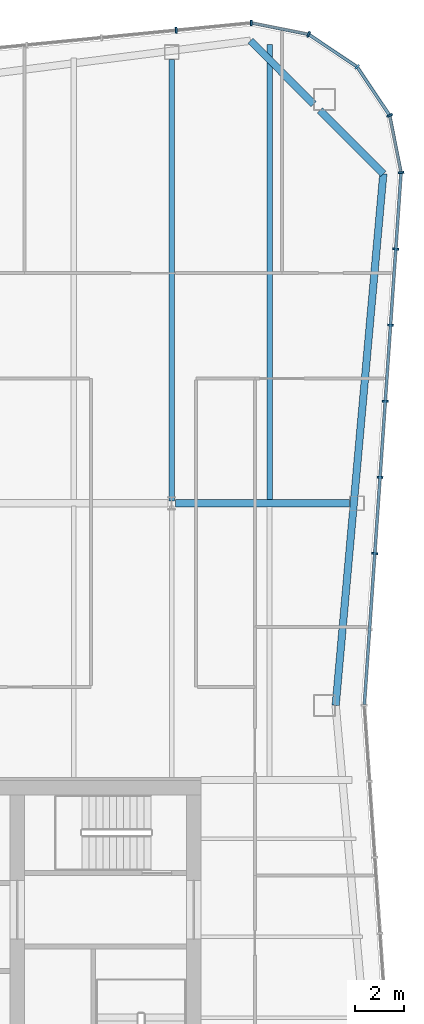
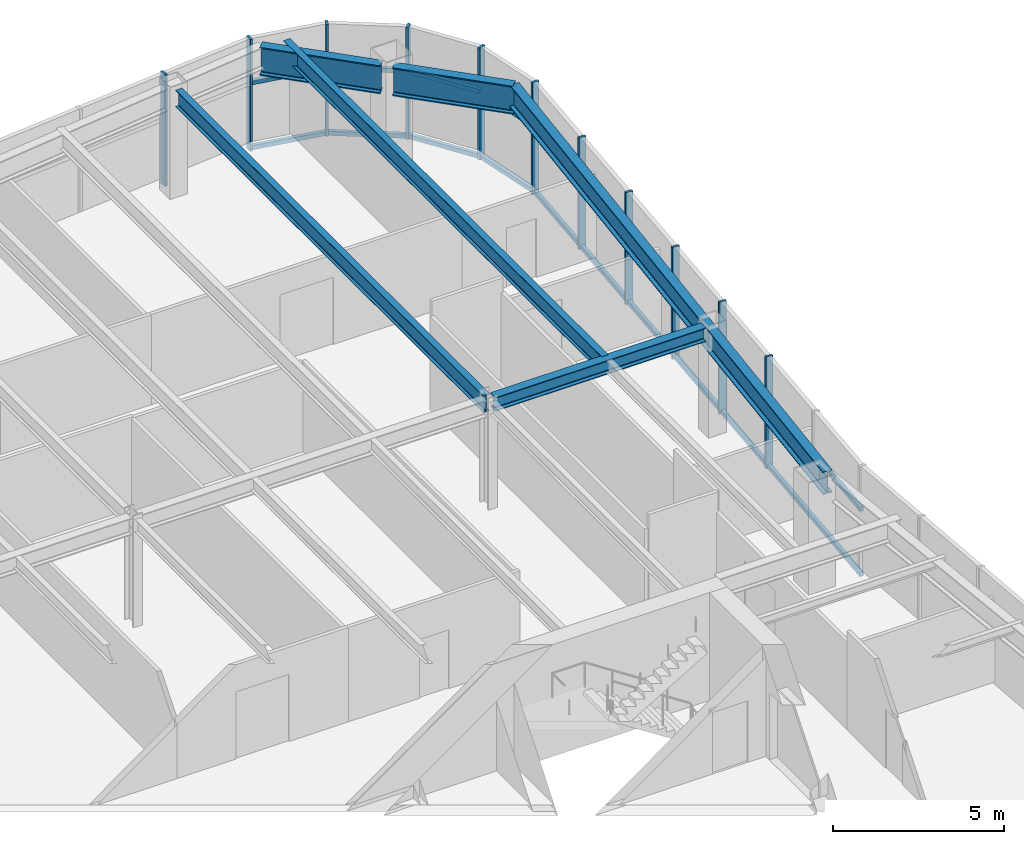
# One storey, part 7 of 13: 21 members, 6 beams, 3 elements without a shape of their own.
"""IFC4 building model written with IfcOpenShell, lengths in metres."""

from ifc_helpers import new_model, si_unit, direction, frame, origin, origin_2d, place, context, subcontext, project, spatial, rectangle, i_section, extrude, material, material_profile, profile_set, type_object, element, aggregate, save


model = new_model("IFC4")

# Units and contexts
model_context = context("Model", 3, precision=1e-05, world=origin(), true_north=direction((0.0, 1.0)))
body_context = subcontext(model_context, "Body", "Model", "MODEL_VIEW")
ifc_project = project(units=[si_unit("LENGTHUNIT", "METRE"), si_unit("AREAUNIT", "SQUARE_METRE"), si_unit("VOLUMEUNIT", "CUBIC_METRE"), si_unit("PLANEANGLEUNIT", "RADIAN"), si_unit("MASSUNIT", "GRAM", prefix="KILO")], contexts=[model_context])

# Site, building, storey
site_placement = place(None, origin())
site = spatial("IfcSite", under=ifc_project, at=site_placement, CompositionType="ELEMENT")
building_placement = place(site_placement, origin())
building = spatial("IfcBuilding", under=site, at=building_placement, Name="Verdant Reach Tower", CompositionType="ELEMENT")
storey_placement = place(building_placement, frame((0.0, 0.0, 364.0)))
storey = spatial("IfcBuildingStorey", under=building, at=storey_placement, Name="L82 Plant", CompositionType="ELEMENT", Elevation=364.0)

# Curtain wall, members
ifc_material_1 = material(Name="Anodised aluminium", Category="aluminium")
curtain_wall_type = type_object("IfcCurtainWallType", Name="EN-CW SYSTEM PLANT", PredefinedType="NOTDEFINED", material=ifc_material_1)
curtain_wall_1_placement = place(storey_placement, origin())
curtain_wall_1 = element("IfcCurtainWall", 1, at=curtain_wall_1_placement, inside=storey, type_object=curtain_wall_type, Name="Curtain wall east, L82", PredefinedType="NOTDEFINED")
ifc_material_profile_1 = material_profile(ifc_material_1, rectangle(XDim=0.238037109375, YDim=0.080078125, at=origin_2d()), Name="Mullion 80x240")
ifc_profile_set_1 = profile_set([ifc_material_profile_1], Name="Anodised aluminium")
member_type_1 = type_object("IfcMemberType", Name="EN-MULLION PLANT", PredefinedType="MULLION", material=ifc_profile_set_1)
member_1_placement = place(storey_placement, frame((20.29736328125, 47.4560546875, -0.35009765625), z_axis=(0.0, 0.0, 1.0), x_axis=(0.997630328423, -0.068802091615, 0.0)))
member_1 = element("IfcMember", 2, at=member_1_placement, type_object=member_type_1, Name="Mullion east face part 2 3, L82", PredefinedType="MULLION", context=body_context, shape_type="SweptSolid", body=[
    extrude(rectangle(XDim=0.238037109375, YDim=0.080078125, at=origin_2d()), origin(), (0.0, 0.0, 1.0), 4.0),
])
member_2_placement = place(storey_placement, frame((20.511474609375, 50.563232421875, -0.35009765625), z_axis=(0.0, 0.0, 1.0), x_axis=(0.997630328423, -0.068802091615, 0.0)))
member_2 = element("IfcMember", 3, at=member_2_placement, type_object=member_type_1, Name="Mullion east face part 2 4, L82", PredefinedType="MULLION", context=body_context, shape_type="SweptSolid", body=[
    extrude(rectangle(XDim=0.238037109375, YDim=0.080078125, at=origin_2d()), origin(), (0.0, 0.0, 1.0), 4.0),
])
member_3_placement = place(storey_placement, frame((20.725830078125, 53.67041015625, -0.35009765625), z_axis=(0.0, 0.0, 1.0), x_axis=(0.997630328423, -0.068802091615, 0.0)))
member_3 = element("IfcMember", 4, at=member_3_placement, type_object=member_type_1, Name="Mullion east face part 2 5, L82", PredefinedType="MULLION", context=body_context, shape_type="SweptSolid", body=[
    extrude(rectangle(XDim=0.238037109375, YDim=0.080078125, at=origin_2d()), origin(), (0.0, 0.0, 1.0), 4.0),
])
member_4_placement = place(storey_placement, frame((20.940185546875, 56.777587890625, -0.35009765625), z_axis=(0.0, 0.0, 1.0), x_axis=(0.997630328423, -0.068802091615, 0.0)))
member_4 = element("IfcMember", 5, at=member_4_placement, type_object=member_type_1, Name="Mullion east face part 2 6, L82", PredefinedType="MULLION", context=body_context, shape_type="SweptSolid", body=[
    extrude(rectangle(XDim=0.238037109375, YDim=0.080078125, at=origin_2d()), origin(), (0.0, 0.0, 1.0), 4.0),
])
member_5_placement = place(storey_placement, frame((21.154541015625, 59.884765625, -0.35009765625), z_axis=(0.0, 0.0, 1.0), x_axis=(0.997630328423, -0.068802091615, 0.0)))
member_5 = element("IfcMember", 6, at=member_5_placement, type_object=member_type_1, Name="Mullion east face part 2 7, L82", PredefinedType="MULLION", context=body_context, shape_type="SweptSolid", body=[
    extrude(rectangle(XDim=0.238037109375, YDim=0.080078125, at=origin_2d()), origin(), (0.0, 0.0, 1.0), 4.0),
])

curtain_wall_2_placement = place(storey_placement, origin())
curtain_wall_2 = element("IfcCurtainWall", 7, at=curtain_wall_2_placement, inside=storey, type_object=curtain_wall_type, Name="Curtain wall north-east corner, L82", PredefinedType="NOTDEFINED")
member_6_placement = place(storey_placement, frame((21.36865234375, 63.007568359375, -0.35009765625), z_axis=(0.0, 0.0, 1.0), x_axis=(0.997969180898, 0.063698618332, 0.0)))
member_6 = element("IfcMember", 8, at=member_6_placement, type_object=member_type_1, Name="Mullion north-east corner 1, L82", PredefinedType="MULLION", context=body_context, shape_type="SweptSolid", body=[
    extrude(rectangle(XDim=0.238037109375, YDim=0.080078125, at=origin_2d()), origin(), (0.0, 0.0, 1.0), 4.0),
])
member_7_placement = place(storey_placement, frame((20.9033203125, 65.341552734375, -0.35009765625), z_axis=(0.0, 0.0, 1.0), x_axis=(0.923875215753, 0.382693853776, 0.0)))
member_7 = element("IfcMember", 9, at=member_7_placement, type_object=member_type_1, Name="Mullion north-east corner 2, L82", PredefinedType="MULLION", context=body_context, shape_type="SweptSolid", body=[
    extrude(rectangle(XDim=0.238037109375, YDim=0.080078125, at=origin_2d()), origin(), (0.0, 0.0, 1.0), 4.0),
])
member_8_placement = place(storey_placement, frame((19.57666015625, 67.32666015625, -0.35009765625), z_axis=(0.0, 0.0, 1.0), x_axis=(0.707106781187, 0.707106781187, 0.0)))
member_8 = element("IfcMember", 10, at=member_8_placement, type_object=member_type_1, Name="Mullion north-east corner 3, L82", PredefinedType="MULLION", context=body_context, shape_type="SweptSolid", body=[
    extrude(rectangle(XDim=0.238037109375, YDim=0.080078125, at=origin_2d()), origin(), (0.0, 0.0, 1.0), 4.0),
])
member_9_placement = place(storey_placement, frame((17.591552734375, 68.6533203125, -0.35009765625), z_axis=(0.0, 0.0, 1.0), x_axis=(0.382693853776, 0.923875215753, 0.0)))
member_9 = element("IfcMember", 11, at=member_9_placement, type_object=member_type_1, Name="Mullion north-east corner 4, L82", PredefinedType="MULLION", context=body_context, shape_type="SweptSolid", body=[
    extrude(rectangle(XDim=0.238037109375, YDim=0.080078125, at=origin_2d()), origin(), (0.0, 0.0, 1.0), 4.0),
])

curtain_wall_3_placement = place(storey_placement, origin())
curtain_wall_3 = element("IfcCurtainWall", 12, at=curtain_wall_3_placement, inside=storey, type_object=curtain_wall_type, Name="Curtain wall north, L82", PredefinedType="NOTDEFINED")
member_10_placement = place(storey_placement, frame((15.255859375, 69.118896484375, -0.35009765625), z_axis=(0.0, 0.0, 1.0), x_axis=(0.049127596288, 0.998792510626, 0.0)))
member_10 = element("IfcMember", 13, at=member_10_placement, type_object=member_type_1, Name="Mullion north face part 1 1, L82", PredefinedType="MULLION", context=body_context, shape_type="SweptSolid", body=[
    extrude(rectangle(XDim=0.238037109375, YDim=0.080078125, at=origin_2d()), origin(), (0.0, 0.0, 1.0), 4.0),
])
member_11_placement = place(storey_placement, frame((12.188232421875, 68.818359375, -0.35009765625), z_axis=(0.0, 0.0, 1.0), x_axis=(-0.09788826992, 0.995197410875, 0.0)))
member_11 = element("IfcMember", 14, at=member_11_placement, type_object=member_type_1, Name="Mullion north face part 1 2, L82", PredefinedType="MULLION", context=body_context, shape_type="SweptSolid", body=[
    extrude(rectangle(XDim=0.238037109375, YDim=0.080078125, at=origin_2d()), origin(), (0.0, 0.0, 1.0), 4.0),
])
aggregate(curtain_wall_3, [member_10, member_11])

# Member
ifc_material_profile_2 = material_profile(ifc_material_1, rectangle(XDim=0.1201171875, YDim=0.14990234375, at=origin_2d()), Name="Transom 150x120")
ifc_profile_set_2 = profile_set([ifc_material_profile_2], Name="Anodised aluminium")
member_type_2 = type_object("IfcMemberType", Name="EN-TRANSOM PLANT", PredefinedType="USERDEFINED", material=ifc_profile_set_2)
member_12_placement = place(storey_placement, frame((19.871826171875, 41.289794921875, -0.27490234375), z_axis=(0.068761218296, 0.997633146431, 0.0), x_axis=(-0.997633146431, 0.068761218296, 0.0)))
member_12 = element("IfcMember", 15, at=member_12_placement, type_object=member_type_2, Name="Transom east face part 2 1.1, L82", ObjectType="TRANSOM", PredefinedType="USERDEFINED", context=body_context, shape_type="SweptSolid", body=[
    extrude(rectangle(XDim=0.1201171875, YDim=0.14990234375, at=origin_2d()), origin(), (0.0, 0.0, 1.0), 21.7294921875),
])

member_13_placement = place(storey_placement, frame((19.871826171875, 41.289794921875, 2.050048828125), z_axis=(0.068761218296, 0.997633146431, 0.0), x_axis=(-0.997633146431, 0.068761218296, 0.0)))
member_13 = element("IfcMember", 16, at=member_13_placement, type_object=member_type_2, Name="Transom east face part 2 1.2, L82", ObjectType="TRANSOM", PredefinedType="USERDEFINED", context=body_context, shape_type="SweptSolid", body=[
    extrude(rectangle(XDim=0.1201171875, YDim=0.14990234375, at=origin_2d()), origin(), (0.0, 0.0, 1.0), 21.7294921875),
])

aggregate(curtain_wall_1, [member_1, member_2, member_3, member_4, member_5, member_12, member_13])

member_14_placement = place(storey_placement, frame((21.36083984375, 63.046875, -0.27490234375), z_axis=(-0.195524121666, 0.980698892549, 0.0), x_axis=(-0.980698892549, -0.195524121666, 0.0)))
member_14 = element("IfcMember", 17, at=member_14_placement, type_object=member_type_2, Name="Transom north-east corner 1.1, L82", ObjectType="TRANSOM", PredefinedType="USERDEFINED", context=body_context, shape_type="SweptSolid", body=[
    extrude(rectangle(XDim=0.1201171875, YDim=0.14990234375, at=origin_2d()), origin(), (0.0, 0.0, 1.0), 2.300048828125),
])

member_15_placement = place(storey_placement, frame((20.881103515625, 65.375, -0.27490234375), z_axis=(-0.5556764556, 0.831398626828, 0.0), x_axis=(-0.831398626828, -0.5556764556, 0.0)))
member_15 = element("IfcMember", 18, at=member_15_placement, type_object=member_type_2, Name="Transom north-east corner 2.1, L82", ObjectType="TRANSOM", PredefinedType="USERDEFINED", context=body_context, shape_type="SweptSolid", body=[
    extrude(rectangle(XDim=0.1201171875, YDim=0.14990234375, at=origin_2d()), origin(), (0.0, 0.0, 1.0), 2.3076171875),
])

member_16_placement = place(storey_placement, frame((19.54345703125, 67.348876953125, -0.27490234375), z_axis=(-0.831398626828, 0.5556764556, 0.0), x_axis=(-0.5556764556, -0.831398626828, 0.0)))
member_16 = element("IfcMember", 19, at=member_16_placement, type_object=member_type_2, Name="Transom north-east corner 3.1, L82", ObjectType="TRANSOM", PredefinedType="USERDEFINED", context=body_context, shape_type="SweptSolid", body=[
    extrude(rectangle(XDim=0.1201171875, YDim=0.14990234375, at=origin_2d()), origin(), (0.0, 0.0, 1.0), 2.3076171875),
])

member_17_placement = place(storey_placement, frame((17.552490234375, 68.6611328125, -0.27490234375), z_axis=(-0.980706937788, 0.195483764476, 0.0), x_axis=(-0.195483764476, -0.980706937788, 0.0)))
member_17 = element("IfcMember", 20, at=member_17_placement, type_object=member_type_2, Name="Transom north-east corner 4.1, L82", ObjectType="TRANSOM", PredefinedType="USERDEFINED", context=body_context, shape_type="SweptSolid", body=[
    extrude(rectangle(XDim=0.1201171875, YDim=0.14990234375, at=origin_2d()), origin(), (0.0, 0.0, 1.0), 2.3017578125),
])

member_18_placement = place(storey_placement, frame((21.36083984375, 63.046875, 2.050048828125), z_axis=(-0.195524121666, 0.980698892549, 0.0), x_axis=(-0.980698892549, -0.195524121666, 0.0)))
member_18 = element("IfcMember", 21, at=member_18_placement, type_object=member_type_2, Name="Transom north-east corner 1.2, L82", ObjectType="TRANSOM", PredefinedType="USERDEFINED", context=body_context, shape_type="SweptSolid", body=[
    extrude(rectangle(XDim=0.1201171875, YDim=0.14990234375, at=origin_2d()), origin(), (0.0, 0.0, 1.0), 2.300048828125),
])

member_19_placement = place(storey_placement, frame((20.881103515625, 65.375, 2.050048828125), z_axis=(-0.5556764556, 0.831398626828, 0.0), x_axis=(-0.831398626828, -0.5556764556, 0.0)))
member_19 = element("IfcMember", 22, at=member_19_placement, type_object=member_type_2, Name="Transom north-east corner 2.2, L82", ObjectType="TRANSOM", PredefinedType="USERDEFINED", context=body_context, shape_type="SweptSolid", body=[
    extrude(rectangle(XDim=0.1201171875, YDim=0.14990234375, at=origin_2d()), origin(), (0.0, 0.0, 1.0), 2.3076171875),
])

member_20_placement = place(storey_placement, frame((19.54345703125, 67.348876953125, 2.050048828125), z_axis=(-0.831398626828, 0.5556764556, 0.0), x_axis=(-0.5556764556, -0.831398626828, 0.0)))
member_20 = element("IfcMember", 23, at=member_20_placement, type_object=member_type_2, Name="Transom north-east corner 3.2, L82", ObjectType="TRANSOM", PredefinedType="USERDEFINED", context=body_context, shape_type="SweptSolid", body=[
    extrude(rectangle(XDim=0.1201171875, YDim=0.14990234375, at=origin_2d()), origin(), (0.0, 0.0, 1.0), 2.3076171875),
])

member_21_placement = place(storey_placement, frame((17.552490234375, 68.6611328125, 2.050048828125), z_axis=(-0.980706937788, 0.195483764476, 0.0), x_axis=(-0.195483764476, -0.980706937788, 0.0)))
member_21 = element("IfcMember", 24, at=member_21_placement, type_object=member_type_2, Name="Transom north-east corner 4.2, L82", ObjectType="TRANSOM", PredefinedType="USERDEFINED", context=body_context, shape_type="SweptSolid", body=[
    extrude(rectangle(XDim=0.1201171875, YDim=0.14990234375, at=origin_2d()), origin(), (0.0, 0.0, 1.0), 2.3017578125),
])

aggregate(curtain_wall_2, [member_6, member_7, member_8, member_9, member_14, member_15, member_16, member_17, member_18, member_19, member_20, member_21])

# Beams
ifc_material_2 = material(Name="Steel S355", Category="steel")
ifc_material_profile_3 = material_profile(ifc_material_2, i_section(OverallWidth=0.300048828125, OverallDepth=0.489990234375, WebThickness=0.011962890625, FlangeThickness=0.02294921875, FilletRadius=0.027099609375, at=origin_2d()), Name="HEA 500")
ifc_profile_set_3 = profile_set([ifc_material_profile_3], Name="Steel S355")
beam_type_1 = type_object("IfcBeamType", Name="ST-BEAM-HEA500", PredefinedType="BEAM", material=ifc_profile_set_3)
beam_1_placement = place(storey_placement, frame((12.153076171875, 49.5, 3.60498046875), z_axis=(1.0, 0.0, 0.0), x_axis=(0.0, 1.0, 0.0)))
element("IfcBeam", 25, at=beam_1_placement, inside=storey, type_object=beam_type_1, Name="Row girder, L82 Plant", PredefinedType="BEAM", context=body_context, shape_type="SweptSolid", body=[
    extrude(i_section(OverallWidth=0.300048828125, OverallDepth=0.489990234375, WebThickness=0.011962890625, FlangeThickness=0.02294921875, FilletRadius=0.027099609375, at=origin_2d()), origin(), (0.0, 0.0, 1.0), 7.115966796875),
])
ifc_material_profile_4 = material_profile(ifc_material_2, i_section(OverallWidth=0.219970703125, OverallDepth=0.60009765625, WebThickness=0.011962890625, FlangeThickness=0.01904296875, FilletRadius=0.02392578125, at=origin_2d()), Name="IPE 600")
ifc_profile_set_4 = profile_set([ifc_material_profile_4], Name="Steel S355")
beam_type_2 = type_object("IfcBeamType", Name="ST-JOIST-IPE600", PredefinedType="JOIST", material=ifc_profile_set_4)
beam_2_placement = place(storey_placement, frame((12.0, 49.60009765625, 3.550048828125), z_axis=(0.0, 1.0, 0.0), x_axis=(-1.0, 0.0, 0.0)))
element("IfcBeam", 26, at=beam_2_placement, inside=storey, type_object=beam_type_2, Name="Floor joist, L82 Plant", PredefinedType="JOIST", context=body_context, shape_type="SweptSolid", body=[
    extrude(i_section(OverallWidth=0.219970703125, OverallDepth=0.60009765625, WebThickness=0.011962890625, FlangeThickness=0.01904296875, FilletRadius=0.02392578125, at=origin_2d()), origin(), (0.0, 0.0, 1.0), 18.0302734375),
])
beam_3_placement = place(storey_placement, frame((16.0, 49.60009765625, 3.550048828125), z_axis=(0.0, 1.0, 0.0), x_axis=(-1.0, 0.0, 0.0)))
element("IfcBeam", 27, at=beam_3_placement, inside=storey, type_object=beam_type_2, Name="Floor joist, L82 Plant", PredefinedType="JOIST", context=body_context, shape_type="SweptSolid", body=[
    extrude(i_section(OverallWidth=0.219970703125, OverallDepth=0.60009765625, WebThickness=0.011962890625, FlangeThickness=0.01904296875, FilletRadius=0.02392578125, at=origin_2d()), origin(), (0.0, 0.0, 1.0), 18.638916015625),
])
ifc_material_profile_5 = material_profile(ifc_material_2, i_section(OverallWidth=0.300048828125, OverallDepth=0.800048828125, WebThickness=0.017578125, FlangeThickness=0.032958984375, FilletRadius=0.030029296875, at=origin_2d()), Name="HEB 800")
ifc_profile_set_5 = profile_set([ifc_material_profile_5], Name="Steel S355")
beam_type_3 = type_object("IfcBeamType", Name="ST-SPANDREL-HEB800", PredefinedType="SPANDREL", material=ifc_profile_set_5)
beam_4_placement = place(storey_placement, frame((20.64599609375, 62.96142578125, 3.449951171875), z_axis=(-0.089274399498, -0.996007069048, 0.0), x_axis=(0.996007069048, -0.089274399498, 0.0)))
element("IfcBeam", 28, at=beam_4_placement, inside=storey, type_object=beam_type_3, Name="Edge beam, L82 Plant", PredefinedType="SPANDREL", context=body_context, shape_type="SweptSolid", body=[
    extrude(i_section(OverallWidth=0.300048828125, OverallDepth=0.800048828125, WebThickness=0.017578125, FlangeThickness=0.032958984375, FilletRadius=0.030029296875, at=origin_2d()), origin(), (0.0, 0.0, 1.0), 21.798583984375),
])
ifc_material_profile_6 = material_profile(ifc_material_2, i_section(OverallWidth=0.302001953125, OverallDepth=1.008056640625, WebThickness=0.02099609375, FlangeThickness=0.0400390625, FilletRadius=0.030029296875, at=origin_2d()), Name="HEM 1000")
ifc_profile_set_6 = profile_set([ifc_material_profile_6], Name="Steel S355")
beam_type_4 = type_object("IfcBeamType", Name="ST-SPANDREL-HEM1000", PredefinedType="SPANDREL", material=ifc_profile_set_6)
beam_5_placement = place(storey_placement, frame((15.22021484375, 68.394287109375, 3.345947265625), z_axis=(0.706638520854, -0.707574731632, 0.0), x_axis=(0.707574731632, 0.706638520854, 0.0)))
element("IfcBeam", 29, at=beam_5_placement, inside=storey, type_object=beam_type_4, Name="Edge beam, L82 Plant", PredefinedType="SPANDREL", context=body_context, shape_type="SweptSolid", body=[
    extrude(i_section(OverallWidth=0.302001953125, OverallDepth=1.008056640625, WebThickness=0.02099609375, FlangeThickness=0.0400390625, FilletRadius=0.030029296875, at=origin_2d()), origin(), (0.0, 0.0, 1.0), 3.65087890625),
])
beam_6_placement = place(storey_placement, frame((18.060791015625, 65.550048828125, 3.345947265625), z_axis=(0.706639493403, -0.707573760369, 0.0), x_axis=(0.707573760369, 0.706639493403, 0.0)))
element("IfcBeam", 30, at=beam_6_placement, inside=storey, type_object=beam_type_4, Name="Edge beam, L82 Plant", PredefinedType="SPANDREL", context=body_context, shape_type="SweptSolid", body=[
    extrude(i_section(OverallWidth=0.302001953125, OverallDepth=1.008056640625, WebThickness=0.02099609375, FlangeThickness=0.0400390625, FilletRadius=0.030029296875, at=origin_2d()), origin(), (0.0, 0.0, 1.0), 3.658447265625),
])

save(model, "model.ifc")
